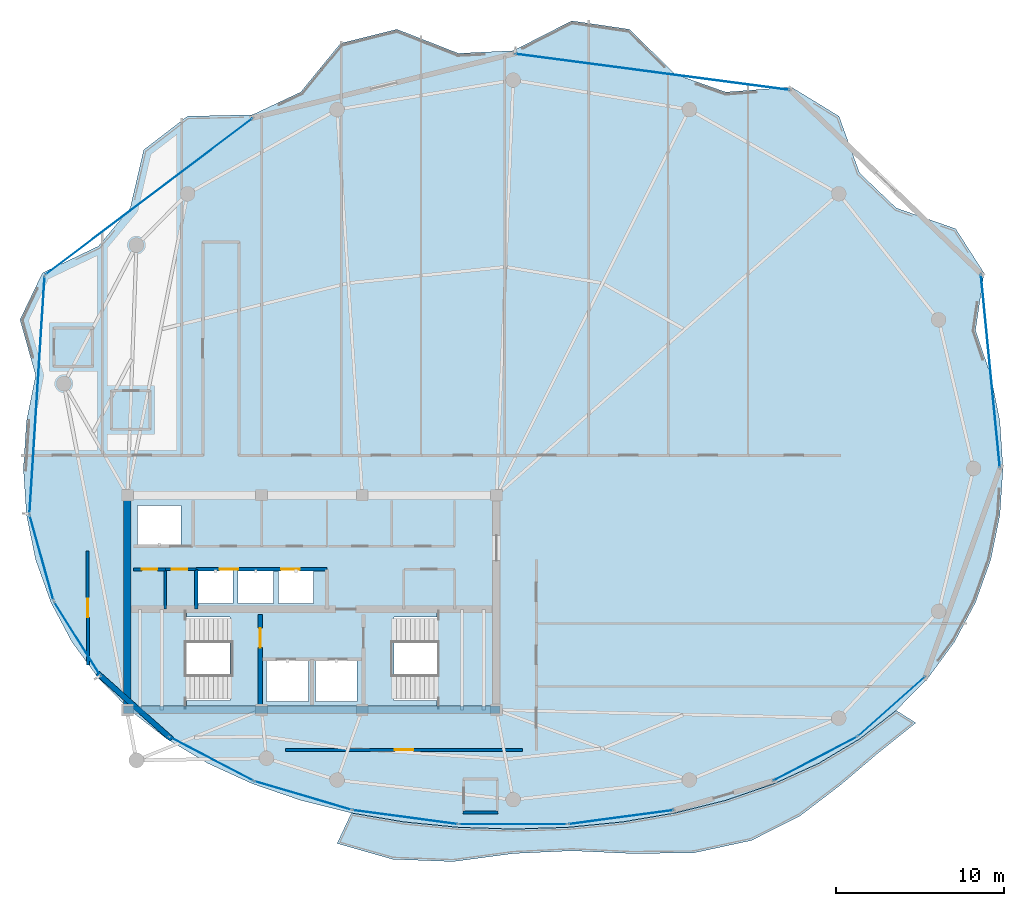
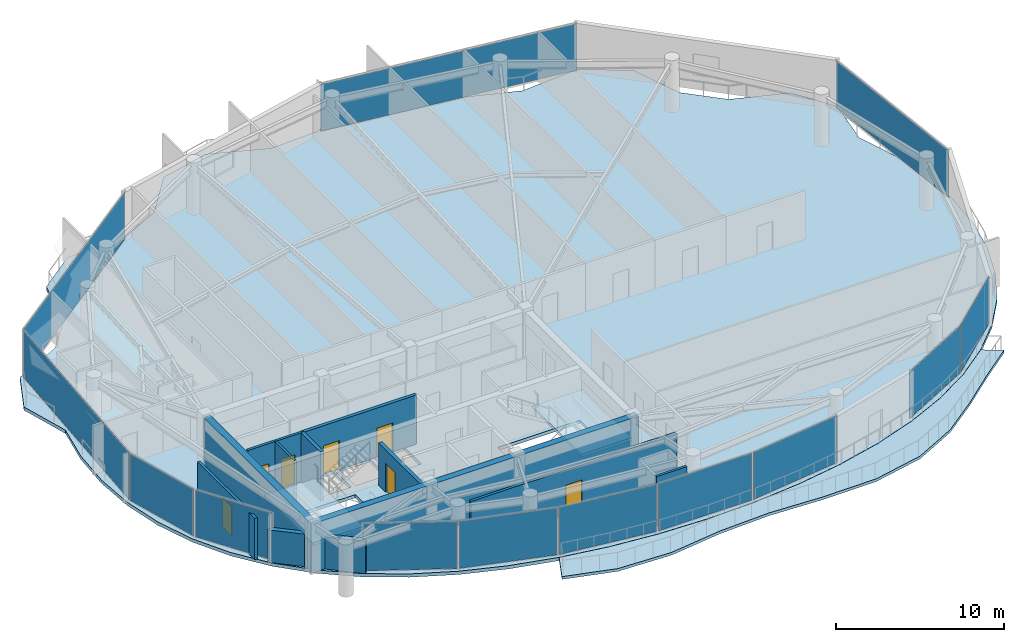
# One storey, part 23 of 29: 13 plates, 12 walls, 7 doors, 4 slabs, 7 openings, 15 elements without a shape of their own.
"""IFC4 building model written with IfcOpenShell, lengths in metres."""

from ifc_helpers import new_model, si_unit, direction, frame, frame_2d, origin, origin_2d, place, context, subcontext, project, spatial, polyline, rectangle, outline, extrude, material, layer, layer_set, type_object, element, fill, aggregate, save


model = new_model("IFC4")

# Units and contexts
model_context = context("Model", 3, precision=1e-05, world=origin(), true_north=direction((0.0, 1.0)))
body_context = subcontext(model_context, "Body", "Model", "MODEL_VIEW")
ifc_project = project(units=[si_unit("LENGTHUNIT", "METRE"), si_unit("AREAUNIT", "SQUARE_METRE"), si_unit("VOLUMEUNIT", "CUBIC_METRE"), si_unit("PLANEANGLEUNIT", "RADIAN"), si_unit("MASSUNIT", "GRAM", prefix="KILO")], contexts=[model_context])

# Site, building, storey
site_placement = place(None, origin())
site = spatial("IfcSite", under=ifc_project, at=site_placement, CompositionType="ELEMENT")
building_placement = place(site_placement, origin())
building = spatial("IfcBuilding", under=site, at=building_placement, Name="Kazevale Care Tower and Concert Hall", CompositionType="ELEMENT")
storey_placement = place(building_placement, frame((0.0, 0.0, 262.39990234375)))
storey = spatial("IfcBuildingStorey", under=building, at=storey_placement, Name="L69", CompositionType="ELEMENT", Elevation=262.39990234375)

# Curtain wall, plate
ifc_material_1 = material(Name="Aluminium 6063-T6 and Low-E Glass", Category="aluminium")
ifc_layer_1 = layer(ifc_material_1, 0.179931640625)
ifc_layer_set_1 = layer_set([ifc_layer_1], Name="Aluminium 6063-T6 and Low-E Glass")
curtain_wall_type_1 = type_object("IfcCurtainWallType", Name="Waist & Upper Residential Curtain Wall CW-4", PredefinedType="NOTDEFINED", material=ifc_layer_set_1)
curtain_wall_1_placement = place(storey_placement, origin())
curtain_wall_1 = element("IfcCurtainWall", 1, at=curtain_wall_1_placement, inside=storey, type_object=curtain_wall_type_1, Name="cw:L69:f11", PredefinedType="NOTDEFINED")
ifc_material_2 = material(Name="Low-E Laminated Glass", Category="glass")
ifc_layer_2 = layer(ifc_material_2, 0.030029296875)
ifc_layer_set_2 = layer_set([ifc_layer_2], Name="Low-E Laminated Glass")
plate_type_1 = type_object("IfcPlateType", Name="CW-4 Low-E Glazing Panel 30mm", PredefinedType="CURTAIN_PANEL", material=ifc_layer_set_2)
plate_1_placement = place(storey_placement, frame((19.008544921875, 27.85205078125, 0.080078125), z_axis=(0.0, 0.0, 1.0), x_axis=(-0.532074560711, 0.846697503152, 0.0)))
plate_1 = element("IfcPlate", 2, at=plate_1_placement, type_object=plate_type_1, Name="CW-4 panel 1.1", PredefinedType="CURTAIN_PANEL", context=body_context, shape_type="SweptSolid", body=[
    extrude(rectangle(XDim=5.119384765625, YDim=0.030029296875, at=origin_2d()), origin(), (0.0, 0.0, 1.0), 3.39990234375),
])
aggregate(curtain_wall_1, [plate_1])

curtain_wall_2_placement = place(storey_placement, origin())
curtain_wall_2 = element("IfcCurtainWall", 3, at=curtain_wall_2_placement, inside=storey, type_object=curtain_wall_type_1, Name="cw:L69:f12", PredefinedType="NOTDEFINED")
plate_2_placement = place(storey_placement, frame((16.883056640625, 32.67041015625, 0.080078125), z_axis=(0.0, 0.0, 1.0), x_axis=(-0.268807011704, 0.963194056491, 0.0)))
plate_2 = element("IfcPlate", 4, at=plate_2_placement, type_object=plate_type_1, Name="CW-4 panel 1.1", PredefinedType="CURTAIN_PANEL", context=body_context, shape_type="SweptSolid", body=[
    extrude(rectangle(XDim=5.204345703125, YDim=0.030029296875, at=origin_2d()), origin(), (0.0, 0.0, 1.0), 3.39990234375),
])
aggregate(curtain_wall_2, [plate_2])

curtain_wall_3_placement = place(storey_placement, origin())
curtain_wall_3 = element("IfcCurtainWall", 5, at=curtain_wall_3_placement, inside=storey, type_object=curtain_wall_type_1, Name="cw:L69:f13", PredefinedType="NOTDEFINED")
plate_3_placement = place(storey_placement, frame((16.615966796875, 42.384521484375, 0.080078125), z_axis=(0.0, 0.0, 1.0), x_axis=(0.063541484604, 0.997979198047, 0.0)))
plate_3 = element("IfcPlate", 6, at=plate_3_placement, type_object=plate_type_1, Name="CW-4 panel 1.1", PredefinedType="CURTAIN_PANEL", context=body_context, shape_type="SweptSolid", body=[
    extrude(rectangle(XDim=14.1298828125, YDim=0.030029296875, at=origin_2d()), origin(), (0.0, 0.0, 1.0), 3.39990234375),
])
aggregate(curtain_wall_3, [plate_3])

curtain_wall_4_placement = place(storey_placement, origin())
curtain_wall_4 = element("IfcCurtainWall", 7, at=curtain_wall_4_placement, inside=storey, type_object=curtain_wall_type_1, Name="cw:L69:f14", PredefinedType="NOTDEFINED")
plate_4_placement = place(storey_placement, frame((23.28857421875, 54.20947265625, 0.080078125), z_axis=(0.0, 0.0, 1.0), x_axis=(0.798109382952, 0.602512583142, 0.0)))
plate_4 = element("IfcPlate", 8, at=plate_4_placement, type_object=plate_type_1, Name="CW-4 panel 1.1", PredefinedType="CURTAIN_PANEL", context=body_context, shape_type="SweptSolid", body=[
    extrude(rectangle(XDim=15.423095703125, YDim=0.030029296875, at=origin_2d()), origin(), (0.0, 0.0, 1.0), 3.39990234375),
])
aggregate(curtain_wall_4, [plate_4])

curtain_wall_5_placement = place(storey_placement, origin())
curtain_wall_5 = element("IfcCurtainWall", 9, at=curtain_wall_5_placement, inside=storey, type_object=curtain_wall_type_1, Name="cw:L69:f16", PredefinedType="NOTDEFINED")
plate_5_placement = place(storey_placement, frame((53.2880859375, 61.636474609375, 0.080078125), z_axis=(0.0, 0.0, 1.0), x_axis=(0.99143626895, -0.130591441567, 0.0)))
plate_5 = element("IfcPlate", 10, at=plate_5_placement, type_object=plate_type_1, Name="CW-4 panel 1.1", PredefinedType="CURTAIN_PANEL", context=body_context, shape_type="SweptSolid", body=[
    extrude(rectangle(XDim=16.46435546875, YDim=0.030029296875, at=origin_2d()), origin(), (0.0, 0.0, 1.0), 3.39990234375),
])
aggregate(curtain_wall_5, [plate_5])

curtain_wall_6_placement = place(storey_placement, origin())
curtain_wall_6 = element("IfcCurtainWall", 11, at=curtain_wall_6_placement, inside=storey, type_object=curtain_wall_type_1, Name="cw:L69:f18", PredefinedType="NOTDEFINED")
plate_6_placement = place(storey_placement, frame((73.448486328125, 43.804443359375, 0.080078125), z_axis=(0.0, 0.0, 1.0), x_axis=(0.097984308555, -0.995187959773, 0.0)))
plate_6 = element("IfcPlate", 12, at=plate_6_placement, type_object=plate_type_1, Name="CW-4 panel 1.1", PredefinedType="CURTAIN_PANEL", context=body_context, shape_type="SweptSolid", body=[
    extrude(rectangle(XDim=11.505126953125, YDim=0.030029296875, at=origin_2d()), origin(), (0.0, 0.0, 1.0), 3.39990234375),
])
aggregate(curtain_wall_6, [plate_6])

ifc_layer_3 = layer(ifc_material_1, 0.179931640625)
ifc_layer_set_3 = layer_set([ifc_layer_3], Name="Aluminium 6063-T6 and Low-E Glass")
curtain_wall_type_2 = type_object("IfcCurtainWallType", Name="Sheltered Concave Balcony Curtain Wall CW-5", PredefinedType="NOTDEFINED", material=ifc_layer_set_3)
curtain_wall_7_placement = place(storey_placement, origin())
curtain_wall_7 = element("IfcCurtainWall", 13, at=curtain_wall_7_placement, inside=storey, type_object=curtain_wall_type_2, Name="cw:L69:f02", PredefinedType="NOTDEFINED")
ifc_layer_4 = layer(ifc_material_2, 0.02587890625)
ifc_layer_set_4 = layer_set([ifc_layer_4], Name="Low-E Laminated Glass")
plate_type_2 = type_object("IfcPlateType", Name="CW-5 Low-E Glazing Panel 26mm", PredefinedType="CURTAIN_PANEL", material=ifc_layer_set_4)
plate_7_placement = place(storey_placement, frame((67.56640625, 23.819580078125, 0.0751953125), z_axis=(0.0, 0.0, 1.0), x_axis=(-0.747133834563, -0.664673629123, 0.0)))
plate_7 = element("IfcPlate", 14, at=plate_7_placement, type_object=plate_type_2, Name="CW-5 panel 1.1", PredefinedType="CURTAIN_PANEL", context=body_context, shape_type="SweptSolid", body=[
    extrude(rectangle(XDim=5.2587890625, YDim=0.02587890625, at=origin_2d()), origin(), (0.0, 0.0, 1.0), 3.409912109375),
])
aggregate(curtain_wall_7, [plate_7])

curtain_wall_8_placement = place(storey_placement, origin())
curtain_wall_8 = element("IfcCurtainWall", 15, at=curtain_wall_8_placement, inside=storey, type_object=curtain_wall_type_2, Name="cw:L69:f03", PredefinedType="NOTDEFINED")
plate_8_placement = place(storey_placement, frame((63.007568359375, 20.693603515625, 0.0751953125), z_axis=(0.0, 0.0, 1.0), x_axis=(-0.886002261972, -0.463680915912, 0.0)))
plate_8 = element("IfcPlate", 16, at=plate_8_placement, type_object=plate_type_2, Name="CW-5 panel 1.1", PredefinedType="CURTAIN_PANEL", context=body_context, shape_type="SweptSolid", body=[
    extrude(rectangle(XDim=5.580322265625, YDim=0.02587890625, at=origin_2d()), origin(), (0.0, 0.0, 1.0), 3.409912109375),
])
aggregate(curtain_wall_8, [plate_8])

curtain_wall_9_placement = place(storey_placement, origin())
curtain_wall_9 = element("IfcCurtainWall", 17, at=curtain_wall_9_placement, inside=storey, type_object=curtain_wall_type_2, Name="cw:L69:f05", PredefinedType="NOTDEFINED")
plate_9_placement = place(storey_placement, frame((51.4326171875, 17.20947265625, 0.0751953125), z_axis=(0.0, 0.0, 1.0), x_axis=(-0.991177380664, -0.132542069018, 0.0)))
plate_9 = element("IfcPlate", 18, at=plate_9_placement, type_object=plate_type_2, Name="CW-5 panel 1.1", PredefinedType="CURTAIN_PANEL", context=body_context, shape_type="SweptSolid", body=[
    extrude(rectangle(XDim=6.255615234375, YDim=0.02587890625, at=origin_2d()), origin(), (0.0, 0.0, 1.0), 3.409912109375),
])
aggregate(curtain_wall_9, [plate_9])

curtain_wall_10_placement = place(storey_placement, origin())
curtain_wall_10 = element("IfcCurtainWall", 19, at=curtain_wall_10_placement, inside=storey, type_object=curtain_wall_type_2, Name="cw:L69:f06", PredefinedType="NOTDEFINED")
plate_10_placement = place(storey_placement, frame((45.0, 16.784912109375, 0.0751953125), z_axis=(0.0, 0.0, 1.0), x_axis=(-1.0, 0.0, 0.0)))
plate_10 = element("IfcPlate", 20, at=plate_10_placement, type_object=plate_type_2, Name="CW-5 panel 1.1", PredefinedType="CURTAIN_PANEL", context=body_context, shape_type="SweptSolid", body=[
    extrude(rectangle(XDim=6.365966796875, YDim=0.02587890625, at=origin_2d()), origin(), (0.0, 0.0, 1.0), 3.409912109375),
])
aggregate(curtain_wall_10, [plate_10])

curtain_wall_11_placement = place(storey_placement, origin())
curtain_wall_11 = element("IfcCurtainWall", 21, at=curtain_wall_11_placement, inside=storey, type_object=curtain_wall_type_2, Name="cw:L69:f07", PredefinedType="NOTDEFINED")
plate_11_placement = place(storey_placement, frame((38.5673828125, 17.20947265625, 0.0751953125), z_axis=(0.0, 0.0, 1.0), x_axis=(-0.991177380664, 0.132542069018, 0.0)))
plate_11 = element("IfcPlate", 22, at=plate_11_placement, type_object=plate_type_2, Name="CW-5 panel 1.1", PredefinedType="CURTAIN_PANEL", context=body_context, shape_type="SweptSolid", body=[
    extrude(rectangle(XDim=6.255615234375, YDim=0.02587890625, at=origin_2d()), origin(), (0.0, 0.0, 1.0), 3.409912109375),
])
aggregate(curtain_wall_11, [plate_11])

curtain_wall_12_placement = place(storey_placement, origin())
curtain_wall_12 = element("IfcCurtainWall", 23, at=curtain_wall_12_placement, inside=storey, type_object=curtain_wall_type_2, Name="cw:L69:f08", PredefinedType="NOTDEFINED")
plate_12_placement = place(storey_placement, frame((32.4619140625, 18.49951171875, 0.0751953125), z_axis=(0.0, 0.0, 1.0), x_axis=(-0.959060133902, 0.283202506274, 0.0)))
plate_12 = element("IfcPlate", 24, at=plate_12_placement, type_object=plate_type_2, Name="CW-5 panel 1.1", PredefinedType="CURTAIN_PANEL", context=body_context, shape_type="SweptSolid", body=[
    extrude(rectangle(XDim=5.962158203125, YDim=0.02587890625, at=origin_2d()), origin(), (0.0, 0.0, 1.0), 3.409912109375),
])
aggregate(curtain_wall_12, [plate_12])

curtain_wall_13_placement = place(storey_placement, origin())
curtain_wall_13 = element("IfcCurtainWall", 25, at=curtain_wall_13_placement, inside=storey, type_object=curtain_wall_type_2, Name="cw:L69:f09", PredefinedType="NOTDEFINED")
plate_13_placement = place(storey_placement, frame((26.992431640625, 20.693603515625, 0.0751953125), z_axis=(0.0, 0.0, 1.0), x_axis=(-0.886002261972, 0.463680915912, 0.0)))
plate_13 = element("IfcPlate", 26, at=plate_13_placement, type_object=plate_type_2, Name="CW-5 panel 1.1", PredefinedType="CURTAIN_PANEL", context=body_context, shape_type="SweptSolid", body=[
    extrude(rectangle(XDim=5.580322265625, YDim=0.02587890625, at=origin_2d()), origin(), (0.0, 0.0, 1.0), 3.409912109375),
])
aggregate(curtain_wall_13, [plate_13])

# Slab
ifc_material_3 = material(Name="Concrete C40", Category="concrete")
ifc_layer_5 = layer(ifc_material_3, 0.199951171875)
ifc_layer_set_5 = layer_set([ifc_layer_5], Name="Concrete C40")
slab_type_1 = type_object("IfcSlabType", Name="Sinusoidal Concave Balcony Slab 200", PredefinedType="USERDEFINED", material=ifc_layer_set_5)
slab_1_placement = place(storey_placement, frame((0.0, 0.0, -0.199951171875)))
element("IfcSlab", 27, at=slab_1_placement, inside=storey, type_object=slab_type_1, Name="slab:L69:bal", ObjectType="BALCONY", PredefinedType="USERDEFINED", context=body_context, shape_type="SweptSolid", body=[
    extrude(outline(polyline([(69.0009765625, 22.82861328125), (66.7392578125, 21.020263671875), (64.52734375, 19.139404296875), (62.1103515625, 17.291015625), (59.201904296875, 15.8193359375), (55.760986328125, 15.077880859375), (52.078125, 15.0400390625), (48.4833984375, 15.204345703125), (45.0, 15.038818359375), (41.41796875, 14.5595703125), (37.816162109375, 14.697021484375), (34.50244140625, 15.63916015625), (35.353759765625, 17.45263671875), (35.35498046875, 17.452392578125), (38.501708984375, 16.918212890625), (41.730224609375, 16.6005859375), (45.0, 16.4951171875), (48.269775390625, 16.6005859375), (51.498291015625, 16.918212890625), (54.64501953125, 17.452392578125), (57.6708984375, 18.208251953125), (60.537109375, 19.192626953125), (63.208251953125, 20.411376953125), (65.650390625, 21.868896484375), (67.832763671875, 23.5654296875), (67.833740234375, 23.56640625), (69.0009765625, 22.82861328125)])), origin(), (0.0, 0.0, 1.0), 0.199951171875),
])

# Stair, slab
stair_type = type_object("IfcStairType", Name="Exit Stair Assembly ST1-U", PredefinedType="HALF_TURN_STAIR", material=ifc_material_3)
stair_1_placement = place(storey_placement, origin())
stair_1 = element("IfcStair", 28, at=stair_1_placement, inside=storey, type_object=stair_type, Name="stair:L69:ST1", PredefinedType="HALF_TURN_STAIR")
ifc_layer_6 = layer(ifc_material_3, 0.199951171875)
ifc_layer_set_6 = layer_set([ifc_layer_6], Name="Concrete C40")
slab_type_2 = type_object("IfcSlabType", Name="Stair Half-Landing Slab ST1-U", PredefinedType="LANDING", material=ifc_layer_set_6)
slab_2_placement = place(storey_placement, frame((0.0, 0.0, 1.7001953125)))
slab_2 = element("IfcSlab", 29, at=slab_2_placement, type_object=slab_type_2, Name="ST1-U landing 1", PredefinedType="LANDING", context=body_context, shape_type="SweptSolid", body=[
    extrude(outline(polyline([(22.050048828125, 23.699951171875), (25.530029296875, 23.699951171875), (25.530029296875, 29.5), (22.050048828125, 29.5), (22.050048828125, 23.699951171875)])), origin(), (0.0, 0.0, 1.0), 0.199951171875),
])
aggregate(stair_1, [slab_2])

stair_2_placement = place(storey_placement, origin())
stair_2 = element("IfcStair", 30, at=stair_2_placement, inside=storey, type_object=stair_type, Name="stair:L69:ST2", PredefinedType="HALF_TURN_STAIR")
slab_3_placement = place(storey_placement, frame((0.0, 0.0, 1.7001953125)))
slab_3 = element("IfcSlab", 31, at=slab_3_placement, type_object=slab_type_2, Name="ST1-U landing 1", PredefinedType="LANDING", context=body_context, shape_type="SweptSolid", body=[
    extrude(outline(polyline([(40.469970703125, 23.699951171875), (43.949951171875, 23.699951171875), (43.949951171875, 29.5), (40.469970703125, 29.5), (40.469970703125, 23.699951171875)])), origin(), (0.0, 0.0, 1.0), 0.199951171875),
])
aggregate(stair_2, [slab_3])

# Slab
ifc_layer_7 = layer(ifc_material_3, 0.239990234375)
ifc_layer_set_7 = layer_set([ifc_layer_7], Name="Concrete C40")
slab_type_3 = type_object("IfcSlabType", Name="Tower Typical Floor Slab 240", PredefinedType="FLOOR", material=ifc_layer_set_7)
slab_4_placement = place(storey_placement, frame((0.0, 0.0, -0.239990234375)))
element("IfcSlab", 32, at=slab_4_placement, inside=storey, type_object=slab_type_3, Name="slab:L69:tw:1", PredefinedType="FLOOR", context=body_context, shape_type="SweptSolid", body=[
    extrude(outline(polyline([(74.199951171875, 38.0), (74.016357421875, 40.787841796875), (73.468017578125, 43.540771484375), (72.561279296875, 46.223876953125), (73.065185546875, 49.64990234375), (71.37548828125, 52.28515625), (67.82958984375, 53.52490234375), (65.6474609375, 55.60693359375), (64.421630859375, 58.9921875), (61.57275390625, 60.734619140625), (57.66943359375, 60.43408203125), (54.64404296875, 61.502685546875), (51.931396484375, 64.1767578125), (48.48779296875, 64.68115234375), (45.0, 62.89990234375), (41.730712890625, 62.743408203125), (38.068603515625, 64.1767578125), (34.7119140625, 63.34326171875), (32.33056640625, 60.43408203125), (29.464599609375, 59.08349609375), (25.578369140625, 58.9921875), (22.9736328125, 56.98583984375), (22.17041015625, 53.52490234375), (20.275634765625, 51.24755859375), (16.934814453125, 49.64990234375), (15.597900390625, 46.867919921875), (16.531982421875, 43.540771484375), (15.983642578125, 40.787841796875), (15.800048828125, 38.0), (15.983642578125, 35.229736328125), (16.531982421875, 32.551513671875), (17.438720703125, 30.01416015625), (18.691650390625, 27.654541015625), (20.275634765625, 25.5), (22.17041015625, 23.569091796875), (24.3525390625, 21.873046875), (26.794189453125, 20.415771484375), (29.464599609375, 19.197265625), (32.33056640625, 18.212890625), (35.35595703125, 17.457275390625), (38.50244140625, 16.92333984375), (41.730712890625, 16.60546875), (45.0, 16.5), (48.269287109375, 16.60546875), (51.49755859375, 16.92333984375), (54.64404296875, 17.457275390625), (57.66943359375, 18.212890625), (60.535400390625, 19.197265625), (63.205810546875, 20.415771484375), (65.6474609375, 21.873046875), (67.82958984375, 23.569091796875), (69.724365234375, 25.5), (71.308349609375, 27.654541015625), (72.561279296875, 30.01416015625), (73.468017578125, 32.551513671875), (74.016357421875, 35.229736328125), (74.199951171875, 38.0)]), holes=[polyline([(22.449951171875, 24.14990234375), (28.110107421875, 24.14990234375), (28.110107421875, 29.14990234375), (22.449951171875, 29.14990234375), (22.449951171875, 24.14990234375)]), polyline([(37.889892578125, 24.14990234375), (43.550048828125, 24.14990234375), (43.550048828125, 29.14990234375), (37.889892578125, 29.14990234375), (37.889892578125, 24.14990234375)]), polyline([(30.300048828125, 24.10009765625), (32.800048828125, 24.10009765625), (32.800048828125, 26.60009765625), (30.300048828125, 26.60009765625), (30.300048828125, 24.10009765625)]), polyline([(33.199951171875, 24.10009765625), (35.699951171875, 24.10009765625), (35.699951171875, 26.60009765625), (33.199951171875, 26.60009765625), (33.199951171875, 24.10009765625)]), polyline([(22.60009765625, 33.39990234375), (25.199951171875, 33.39990234375), (25.199951171875, 35.800048828125), (22.60009765625, 35.800048828125), (22.60009765625, 33.39990234375)]), polyline([(26.199951171875, 29.949951171875), (28.300048828125, 29.949951171875), (28.300048828125, 31.949951171875), (26.199951171875, 31.949951171875), (26.199951171875, 29.949951171875)]), polyline([(28.60009765625, 29.949951171875), (30.699951171875, 29.949951171875), (30.699951171875, 31.949951171875), (28.60009765625, 31.949951171875), (28.60009765625, 29.949951171875)]), polyline([(31.0, 29.949951171875), (33.10009765625, 29.949951171875), (33.10009765625, 31.949951171875), (31.0, 31.949951171875), (31.0, 29.949951171875)])]), origin(), (0.0, 0.0, 1.0), 0.239990234375),
])

# Walls
ifc_material_4 = material(Name="Concrete C50", Category="concrete")
ifc_layer_8 = layer(ifc_material_4, 0.449951171875)
ifc_layer_set_8 = layer_set([ifc_layer_8], Name="Concrete C50")
wall_type_1 = type_object("IfcWallType", Name="Core Shear Wall 450 C50", PredefinedType="SHEAR", material=ifc_layer_set_8)
wall_1_placement = place(storey_placement, frame((21.77490234375, 23.60009765625, 0.0), z_axis=(0.0, 0.0, 1.0), x_axis=(1.0, 0.0, 0.0)))
element("IfcWall", 33, at=wall_1_placement, inside=storey, type_object=wall_type_1, Name="wall:L69:core:S", PredefinedType="SHEAR", context=body_context, shape_type="SweptSolid", body=[
    extrude(rectangle(XDim=22.4501953125, YDim=0.449951171875, at=frame_2d((11.22509765625, 0.0))), origin(), (0.0, 0.0, 1.0), 3.56005859375),
])
wall_2_placement = place(storey_placement, frame((22.0, 23.824951171875, 0.0), z_axis=(0.0, 0.0, 1.0), x_axis=(0.0, 1.0, 0.0)))
element("IfcWall", 34, at=wall_2_placement, inside=storey, type_object=wall_type_1, Name="wall:L69:core:W", PredefinedType="SHEAR", context=body_context, shape_type="SweptSolid", body=[
    extrude(rectangle(XDim=12.35009765625, YDim=0.449951171875, at=frame_2d((6.175048828125, 0.0))), origin(), (0.0, 0.0, 1.0), 3.56005859375),
])
ifc_layer_9 = layer(ifc_material_3, 0.219970703125)
ifc_layer_set_9 = layer_set([ifc_layer_9], Name="Concrete C40")
wall_type_2 = type_object("IfcWallType", Name="Elevator Hoistway Shaft Wall 220", PredefinedType="SOLIDWALL", material=ifc_layer_set_9)
wall_3_placement = place(storey_placement, frame((26.10009765625, 29.6201171875, 0.0), z_axis=(0.0, 0.0, 1.0), x_axis=(0.0, 1.0, 0.0)))
element("IfcWall", 35, at=wall_3_placement, inside=storey, type_object=wall_type_2, Name="wall:L69:c_ph_w", PredefinedType="SOLIDWALL", context=body_context, shape_type="SweptSolid", body=[
    extrude(rectangle(XDim=2.35986328125, YDim=0.219970703125, at=frame_2d((1.179931640625, 0.0))), origin(), (0.0, 0.0, 1.0), 3.56005859375),
])

# Wall, openings, doors
wall_4_placement = place(storey_placement, frame((26.10009765625, 31.97998046875, 0.0), z_axis=(0.0, 0.0, 1.0), x_axis=(1.0, 0.0, 0.0)))
wall_4 = element("IfcWall", 36, at=wall_4_placement, inside=storey, type_object=wall_type_2, Name="wall:L69:c_ph_n", PredefinedType="SOLIDWALL", context=body_context, shape_type="SweptSolid", body=[
    extrude(rectangle(XDim=7.7998046875, YDim=0.219970703125, at=frame_2d((3.89990234375, 0.0))), origin(), (0.0, 0.0, 1.0), 3.56005859375),
])
opening_1_placement = place(wall_4_placement, frame((1.39990234375, 0.0, 0.0)))
opening_1 = element("IfcOpeningElement", 37, at=opening_1_placement, cuts=wall_4, Name="Opening LD-PAX", PredefinedType="OPENING", context=body_context, shape_type="SweptSolid", body=[
    extrude(rectangle(XDim=1.10009765625, YDim=2.10009765625, at=frame_2d((0.550048828125, 1.050048828125))), frame((0.0, 0.119873046875, 0.0), z_axis=(0.0, -1.0, 0.0), x_axis=(1.0, 0.0, 0.0)), (0.0, 0.0, 1.0), 0.239990234375),
])
opening_2_placement = place(wall_4_placement, frame((5.06591796875, 0.0, 0.0)))
opening_2 = element("IfcOpeningElement", 38, at=opening_2_placement, cuts=wall_4, Name="Opening LD-PAX", PredefinedType="OPENING", context=body_context, shape_type="SweptSolid", body=[
    extrude(rectangle(XDim=1.10009765625, YDim=2.10009765625, at=frame_2d((0.550048828125, 1.050048828125))), frame((0.0, 0.119873046875, 0.0), z_axis=(0.0, -1.0, 0.0), x_axis=(1.0, 0.0, 0.0)), (0.0, 0.0, 1.0), 0.239990234375),
])
ifc_material_5 = material(Name="Stainless Steel 316", Category="steel")
door_type_1 = type_object("IfcDoorType", Name="Passenger Lift Sliding Landing Door 1100x2100", OperationType="NOTDEFINED", PredefinedType="DOOR", material=ifc_material_5)
door_1_placement = place(opening_1_placement, origin())
door_1 = element("IfcDoor", 39, at=door_1_placement, inside=storey, type_object=door_type_1, Name="door:L69:ld_ph1", OperationType="SLIDING_TO_LEFT", OverallHeight=2.10009765625, OverallWidth=1.10009765625, PredefinedType="DOOR", context=body_context, shape_type="SweptSolid", body=[
    extrude(rectangle(XDim=1.10009765625, YDim=2.10009765625, at=frame_2d((0.550048828125, 1.050048828125))), frame((0.0, 0.02490234375, 0.0), z_axis=(0.0, -1.0, 0.0), x_axis=(1.0, 0.0, 0.0)), (0.0, 0.0, 1.0), 0.050048828125),
])
fill(opening_1, door_1)
door_2_placement = place(opening_2_placement, origin())
door_2 = element("IfcDoor", 40, at=door_2_placement, inside=storey, type_object=door_type_1, Name="door:L69:ld_ph2", OperationType="SLIDING_TO_RIGHT", OverallHeight=2.10009765625, OverallWidth=1.10009765625, PredefinedType="DOOR", context=body_context, shape_type="SweptSolid", body=[
    extrude(rectangle(XDim=1.10009765625, YDim=2.10009765625, at=frame_2d((0.550048828125, 1.050048828125))), frame((0.0, 0.02490234375, 0.0), z_axis=(0.0, -1.0, 0.0), x_axis=(1.0, 0.0, 0.0)), (0.0, 0.0, 1.0), 0.050048828125),
])
fill(opening_2, door_2)

# Wall, opening, door
ifc_material_6 = material(Name="Concrete C40 and Acoustic Gypsum", Category="concrete")
ifc_layer_10 = layer(ifc_material_6, 0.179931640625)
ifc_layer_set_10 = layer_set([ifc_layer_10], Name="Concrete C40 and Acoustic Gypsum")
wall_type_3 = type_object("IfcWallType", Name="Fire-Rated Corridor & Party Wall 180", PredefinedType="PARTITIONING", material=ifc_layer_set_10)
wall_5_placement = place(storey_placement, frame((22.35009765625, 31.97998046875, 0.0), z_axis=(0.0, 0.0, 1.0), x_axis=(1.0, 0.0, 0.0)))
wall_5 = element("IfcWall", 41, at=wall_5_placement, inside=storey, type_object=wall_type_3, Name="wall:L69:kb_wn0", PredefinedType="PARTITIONING", context=body_context, shape_type="SweptSolid", body=[
    extrude(rectangle(XDim=1.909912109375, YDim=0.179931640625, at=frame_2d((0.955078125, 0.0))), origin(), (0.0, 0.0, 1.0), 3.56005859375),
])
opening_3_placement = place(wall_5_placement, frame((0.514892578125, 0.0, 0.0)))
opening_3 = element("IfcOpeningElement", 42, at=opening_3_placement, cuts=wall_5, Name="Opening ID-900", PredefinedType="OPENING", context=body_context, shape_type="SweptSolid", body=[
    extrude(rectangle(XDim=0.919921875, YDim=2.10009765625, at=frame_2d((0.4599609375, 1.050048828125))), frame((0.0, 0.099853515625, 0.0), z_axis=(0.0, -1.0, 0.0), x_axis=(1.0, 0.0, 0.0)), (0.0, 0.0, 1.0), 0.199951171875),
])
ifc_material_7 = material(Name="Oak Timber Fire Leaf", Category="wood")
door_type_2 = type_object("IfcDoorType", Name="Bathroom & Service Door 920x2100", OperationType="NOTDEFINED", PredefinedType="DOOR", material=ifc_material_7)
door_3_placement = place(opening_3_placement, origin())
door_3 = element("IfcDoor", 43, at=door_3_placement, inside=storey, type_object=door_type_2, Name="door:L69:d_kbw1", OperationType="SINGLE_SWING_LEFT", OverallHeight=2.10009765625, OverallWidth=0.919921875, PredefinedType="DOOR", context=body_context, shape_type="SweptSolid", body=[
    extrude(rectangle(XDim=0.919921875, YDim=2.10009765625, at=frame_2d((0.4599609375, 1.050048828125))), frame((0.0, 0.02490234375, 0.0), z_axis=(0.0, -1.0, 0.0), x_axis=(1.0, 0.0, 0.0)), (0.0, 0.0, 1.0), 0.050048828125),
])
fill(opening_3, door_3)

wall_6_placement = place(storey_placement, frame((45.56494140625, 21.22509765625, 0.0), z_axis=(0.0, 0.0, 1.0), x_axis=(-1.0, 0.0, 0.0)))
wall_6 = element("IfcWall", 44, at=wall_6_placement, inside=storey, type_object=wall_type_3, Name="wall:L69:auto_018", PredefinedType="PARTITIONING", context=body_context, shape_type="SweptSolid", body=[
    extrude(rectangle(XDim=14.1298828125, YDim=0.179931640625, at=frame_2d((7.06494140625, 0.0))), origin(), (0.0, 0.0, 1.0), 3.196044921875),
])
opening_4_placement = place(wall_6_placement, frame((6.514892578125, 0.0, 0.0)))
opening_4 = element("IfcOpeningElement", 45, at=opening_4_placement, cuts=wall_6, Name="Opening ID-1100", PredefinedType="OPENING", context=body_context, shape_type="SweptSolid", body=[
    extrude(rectangle(XDim=1.10009765625, YDim=2.10009765625, at=frame_2d((0.550048828125, 1.050048828125))), frame((0.0, 0.099853515625, 0.0), z_axis=(0.0, -1.0, 0.0), x_axis=(1.0, 0.0, 0.0)), (0.0, 0.0, 1.0), 0.199951171875),
])
door_type_3 = type_object("IfcDoorType", Name="Care Bedroom Accessible Door 1100x2100", OperationType="NOTDEFINED", PredefinedType="DOOR", material=ifc_material_7)
door_4_placement = place(opening_4_placement, origin())
door_4 = element("IfcDoor", 46, at=door_4_placement, inside=storey, type_object=door_type_3, Name="door:L69:ad_018", OperationType="SINGLE_SWING_LEFT", OverallHeight=2.10009765625, OverallWidth=1.10009765625, PredefinedType="DOOR", context=body_context, shape_type="SweptSolid", body=[
    extrude(rectangle(XDim=1.10009765625, YDim=2.10009765625, at=frame_2d((0.550048828125, 1.050048828125))), frame((0.0, 0.02490234375, 0.0), z_axis=(0.0, -1.0, 0.0), x_axis=(1.0, 0.0, 0.0)), (0.0, 0.0, 1.0), 0.050048828125),
])
fill(opening_4, door_4)

wall_7_placement = place(storey_placement, frame((19.64697265625, 26.281005859375, 0.0), z_axis=(0.0, 0.0, 1.0), x_axis=(-0.003238907688, 0.999994754725, 0.0)))
wall_7 = element("IfcWall", 47, at=wall_7_placement, inside=storey, type_object=wall_type_3, Name="wall:L69:auto_019", PredefinedType="PARTITIONING", context=body_context, shape_type="SweptSolid", body=[
    extrude(rectangle(XDim=6.783935546875, YDim=0.179931640625, at=frame_2d((3.39208984375, 0.0))), origin(), (0.0, 0.0, 1.0), 3.01708984375),
])
opening_5_placement = place(wall_7_placement, frame((2.842041015625, 0.0, 0.0)))
opening_5 = element("IfcOpeningElement", 48, at=opening_5_placement, cuts=wall_7, Name="Opening ID-1100", PredefinedType="OPENING", context=body_context, shape_type="SweptSolid", body=[
    extrude(rectangle(XDim=1.10009765625, YDim=2.10009765625, at=frame_2d((0.550048828125, 1.050048828125))), frame((0.0, 0.099853515625, 0.0), z_axis=(0.0, -1.0, 0.0), x_axis=(1.0, 0.0, 0.0)), (0.0, 0.0, 1.0), 0.199951171875),
])
door_5_placement = place(opening_5_placement, origin())
door_5 = element("IfcDoor", 49, at=door_5_placement, inside=storey, type_object=door_type_3, Name="door:L69:ad_019", OperationType="SINGLE_SWING_LEFT", OverallHeight=2.10009765625, OverallWidth=1.10009765625, PredefinedType="DOOR", context=body_context, shape_type="SweptSolid", body=[
    extrude(rectangle(XDim=1.10009765625, YDim=2.10009765625, at=frame_2d((0.550048828125, 1.050048828125))), frame((0.0, 0.02490234375, 0.0), z_axis=(0.0, -1.0, 0.0), x_axis=(1.0, 0.0, 0.0)), (0.0, 0.0, 1.0), 0.050048828125),
])
fill(opening_5, door_5)

# Wall
ifc_material_8 = material(Name="Acoustic Gypsum on Steel Stud", Category="steel")
ifc_layer_11 = layer(ifc_material_8, 0.159912109375)
ifc_layer_set_11 = layer_set([ifc_layer_11], Name="Acoustic Gypsum on Steel Stud")
wall_type_4 = type_object("IfcWallType", Name="Moisture-Resistant Bathroom Plumbing Wall 160", PredefinedType="PLUMBINGWALL", material=ifc_layer_set_11)
wall_8_placement = place(storey_placement, frame((24.260009765625, 29.6201171875, 0.0), z_axis=(0.0, 0.0, 1.0), x_axis=(0.0, 1.0, 0.0)))
element("IfcWall", 50, at=wall_8_placement, inside=storey, type_object=wall_type_4, Name="wall:L69:kb_we1", PredefinedType="PLUMBINGWALL", context=body_context, shape_type="SweptSolid", body=[
    extrude(rectangle(XDim=2.35986328125, YDim=0.159912109375, at=frame_2d((1.179931640625, 0.0))), origin(), (0.0, 0.0, 1.0), 3.56005859375),
])

# Wall, opening, door
wall_9_placement = place(storey_placement, frame((24.260009765625, 31.97998046875, 0.0), z_axis=(0.0, 0.0, 1.0), x_axis=(1.0, 0.0, 0.0)))
wall_9 = element("IfcWall", 51, at=wall_9_placement, inside=storey, type_object=wall_type_4, Name="wall:L69:kb_wn1", PredefinedType="PLUMBINGWALL", context=body_context, shape_type="SweptSolid", body=[
    extrude(rectangle(XDim=1.840087890625, YDim=0.159912109375, at=frame_2d((0.919921875, 0.0))), origin(), (0.0, 0.0, 1.0), 3.56005859375),
])
opening_6_placement = place(wall_9_placement, frame((0.387939453125, 0.0, 0.0)))
opening_6 = element("IfcOpeningElement", 52, at=opening_6_placement, cuts=wall_9, Name="Opening ID-900", PredefinedType="OPENING", context=body_context, shape_type="SweptSolid", body=[
    extrude(rectangle(XDim=0.919921875, YDim=2.10009765625, at=frame_2d((0.4599609375, 1.050048828125))), frame((0.0, 0.08984375, 0.0), z_axis=(0.0, -1.0, 0.0), x_axis=(1.0, 0.0, 0.0)), (0.0, 0.0, 1.0), 0.179931640625),
])
door_6_placement = place(opening_6_placement, origin())
door_6 = element("IfcDoor", 53, at=door_6_placement, inside=storey, type_object=door_type_2, Name="door:L69:d_kbw2", OperationType="SINGLE_SWING_RIGHT", OverallHeight=2.10009765625, OverallWidth=0.919921875, PredefinedType="DOOR", context=body_context, shape_type="SweptSolid", body=[
    extrude(rectangle(XDim=0.919921875, YDim=2.10009765625, at=frame_2d((0.4599609375, 1.050048828125))), frame((0.0, 0.02490234375, 0.0), z_axis=(0.0, -1.0, 0.0), x_axis=(1.0, 0.0, 0.0)), (0.0, 0.0, 1.0), 0.050048828125),
])
fill(opening_6, door_6)

# Wall
wall_10_placement = place(storey_placement, frame((42.010009765625, 17.48193359375, 0.0), z_axis=(0.0, 0.0, 1.0), x_axis=(1.0, 0.0, 0.0)))
element("IfcWall", 54, at=wall_10_placement, inside=storey, type_object=wall_type_4, Name="wall:L69:sb2_ens_ws", PredefinedType="PLUMBINGWALL", context=body_context, shape_type="SweptSolid", body=[
    extrude(rectangle(XDim=2.080078125, YDim=0.159912109375, at=frame_2d((1.0400390625, 0.0))), origin(), (0.0, 0.0, 1.0), 3.56005859375),
])

# Wall, opening, door
ifc_layer_12 = layer(ifc_material_3, 0.25)
ifc_layer_set_12 = layer_set([ifc_layer_12], Name="Concrete C40")
wall_type_5 = type_object("IfcWallType", Name="Pressurized Stair Shaft Wall 250", PredefinedType="SOLIDWALL", material=ifc_layer_set_12)
wall_11_placement = place(storey_placement, frame((29.919921875, 23.89990234375, 0.0), z_axis=(0.0, 0.0, 1.0), x_axis=(0.0, 1.0, 0.0)))
wall_11 = element("IfcWall", 55, at=wall_11_placement, inside=storey, type_object=wall_type_5, Name="wall:L69:c_st1_e", PredefinedType="SOLIDWALL", context=body_context, shape_type="SweptSolid", body=[
    extrude(rectangle(XDim=5.400146484375, YDim=0.25, at=frame_2d((2.7001953125, 0.0))), origin(), (0.0, 0.0, 1.0), 3.090087890625),
])
opening_7_placement = place(wall_11_placement, frame((3.4208984375, 0.0, 0.0)))
opening_7 = element("IfcOpeningElement", 56, at=opening_7_placement, cuts=wall_11, Name="Opening FD-90", PredefinedType="OPENING", context=body_context, shape_type="SweptSolid", body=[
    extrude(rectangle(XDim=1.14990234375, YDim=2.10009765625, at=frame_2d((0.574951171875, 1.050048828125))), frame((0.0, 0.135009765625, 0.0), z_axis=(0.0, -1.0, 0.0), x_axis=(1.0, 0.0, 0.0)), (0.0, 0.0, 1.0), 0.27001953125),
])
ifc_material_9 = material(Name="Steel ASTM A572 Gr 50", Category="steel")
door_type_4 = type_object("IfcDoorType", Name="Pressurized Stair & Lobby Fire Door 1150x2100", OperationType="NOTDEFINED", PredefinedType="DOOR", material=ifc_material_9)
door_7_placement = place(opening_7_placement, origin())
door_7 = element("IfcDoor", 57, at=door_7_placement, inside=storey, type_object=door_type_4, Name="door:L69:st1", OperationType="SINGLE_SWING_RIGHT", OverallHeight=2.10009765625, OverallWidth=1.14990234375, PredefinedType="DOOR", context=body_context, shape_type="SweptSolid", body=[
    extrude(rectangle(XDim=1.14990234375, YDim=2.10009765625, at=frame_2d((0.574951171875, 1.050048828125))), frame((0.0, 0.02490234375, 0.0), z_axis=(0.0, -1.0, 0.0), x_axis=(1.0, 0.0, 0.0)), (0.0, 0.0, 1.0), 0.050048828125),
])
fill(opening_7, door_7)

# Wall
ifc_material_10 = material(Name="Concrete C40 with Honed Limestone Cladding", Category="masonry")
ifc_layer_13 = layer(ifc_material_10, 0.320068359375)
ifc_layer_set_13 = layer_set([ifc_layer_13], Name="Concrete C40 with Honed Limestone Cladding")
wall_type_6 = type_object("IfcWallType", Name="Tower Honed Limestone Spandrel Wall 320", PredefinedType="STANDARD", material=ifc_layer_set_13)
wall_12_placement = place(storey_placement, frame((24.64794921875, 21.84912109375, 0.0), z_axis=(0.0, 0.0, 1.0), x_axis=(-0.747068410291, 0.664747162721, 0.0)))
element("IfcWall", 58, at=wall_12_placement, inside=storey, type_object=wall_type_6, Name="wall:cw:L69:f10", PredefinedType="STANDARD", context=body_context, shape_type="SweptSolid", body=[
    extrude(rectangle(XDim=5.928466796875, YDim=0.320068359375, at=frame_2d((2.96435546875, 0.0))), origin(), (0.0, 0.0, 1.0), 2.35009765625),
])

save(model, "model.ifc")
